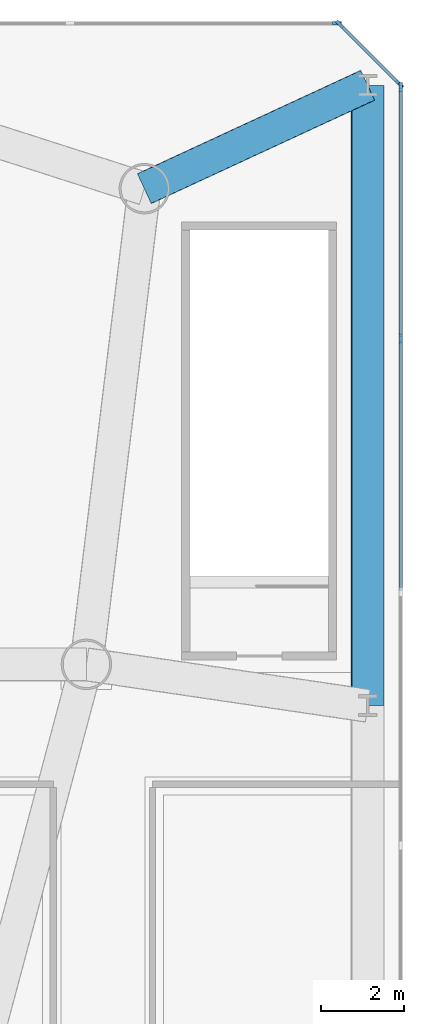
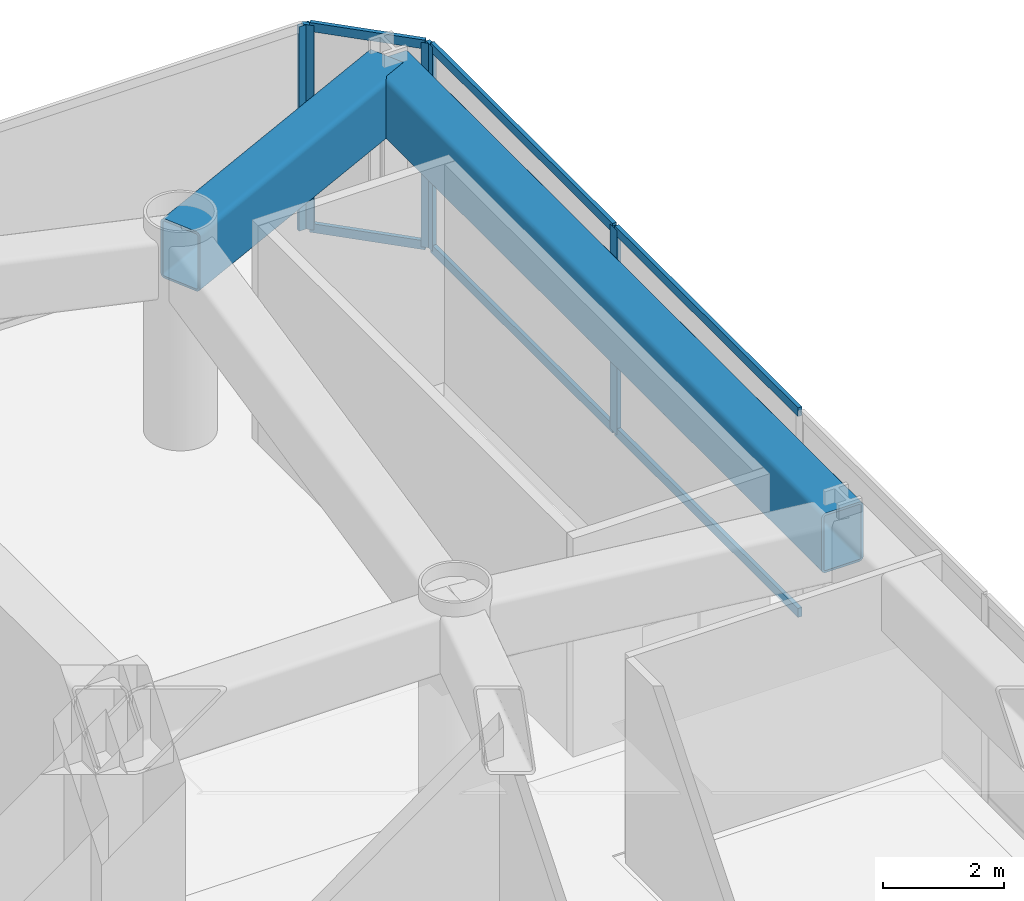
# One storey, part 11 of 21: 11 members, 2 beams, 3 elements without a shape of their own.
"""IFC4 building model written with IfcOpenShell, lengths in metres."""

from ifc_helpers import new_model, si_unit, direction, frame, origin, origin_2d, place, context, subcontext, project, spatial, rectangle, hollow_rectangle, extrude, source, transform, mapped, material, layer, layer_set, material_profile, profile_set, type_object, element, aggregate, save


model = new_model("IFC4")

# Units and contexts
model_context = context("Model", 3, precision=1e-05, world=origin(), true_north=direction((0.0, 1.0)))
body_context = subcontext(model_context, "Body", "Model", "MODEL_VIEW")
ifc_project = project(units=[si_unit("LENGTHUNIT", "METRE"), si_unit("AREAUNIT", "SQUARE_METRE"), si_unit("VOLUMEUNIT", "CUBIC_METRE"), si_unit("PLANEANGLEUNIT", "RADIAN"), si_unit("MASSUNIT", "GRAM", prefix="KILO")], contexts=[model_context])

# Site, building, storey
site_placement = place(None, origin())
site = spatial("IfcSite", under=ifc_project, at=site_placement, CompositionType="ELEMENT")
building_placement = place(site_placement, origin())
building = spatial("IfcBuilding", under=site, at=building_placement, Name="Vaeldorn Concourse Tower", CompositionType="ELEMENT")
storey_placement = place(building_placement, frame((0.0, 0.0, 14.39990234375)))
storey = spatial("IfcBuildingStorey", under=building, at=storey_placement, Name="L03", CompositionType="ELEMENT", Elevation=14.39990234375)

# Beams
ifc_material_1 = material(Name="Steel S460", Category="steel")
ifc_material_profile_1 = material_profile(ifc_material_1, hollow_rectangle(XDim=0.800048828125, YDim=1.199951171875, WallThickness=0.044921875, InnerFilletRadius=0.044921875, OuterFilletRadius=0.090087890625, at=origin_2d()), Name="RHS 1200x800x45")
ifc_profile_set_1 = profile_set([ifc_material_profile_1], Name="Steel S460")
beam_type = type_object("IfcBeamType", Name="BM-TG-RHS1200", PredefinedType="BEAM", material=ifc_profile_set_1)
shared_shape_1 = source(origin(), body_context, "Body", "SweptSolid", [
    extrude(hollow_rectangle(XDim=0.800048828125, YDim=1.199951171875, WallThickness=0.044921875, InnerFilletRadius=0.044921875, OuterFilletRadius=0.090087890625, at=origin_2d()), origin(), (0.0, 0.0, 1.0), 15.0),
])
beam_1_placement = place(storey_placement, frame((67.199951171875, 35.5, 3.52001953125), z_axis=(0.0, 1.0, 0.0), x_axis=(-1.0, 0.0, 0.0)))
element("IfcBeam", 1, at=beam_1_placement, inside=storey, type_object=beam_type, Name="Beam BM-L03-TG-24", PredefinedType="BEAM", context=body_context, shape_type="MappedRepresentation", body=[
    mapped(shared_shape_1, transform((0.0, 0.0, 0.0), scale=1.0)),
])
shared_shape_2 = source(origin(), body_context, "Body", "SweptSolid", [
    extrude(hollow_rectangle(XDim=0.800048828125, YDim=1.199951171875, WallThickness=0.044921875, InnerFilletRadius=0.044921875, OuterFilletRadius=0.090087890625, at=origin_2d()), origin(), (0.0, 0.0, 1.0), 5.950439453125),
])
beam_2_placement = place(storey_placement, frame((61.800048828125, 48.0, 3.52001953125), z_axis=(0.907464010437, 0.420129824888, 0.0), x_axis=(-0.420129824888, 0.907464010437, 0.0)))
element("IfcBeam", 2, at=beam_2_placement, inside=storey, type_object=beam_type, Name="Beam BM-L03-TG-34", PredefinedType="BEAM", context=body_context, shape_type="MappedRepresentation", body=[
    mapped(shared_shape_2, transform((0.0, 0.0, 0.0), scale=1.0)),
])

# Curtain wall, members
ifc_material_2 = material(Name="Anodised Bronze Aluminium", Category="aluminium")
ifc_layer = layer(ifc_material_2, 0.239990234375)
ifc_layer_set = layer_set([ifc_layer], Name="Anodised Bronze Aluminium")
curtain_wall_type = type_object("IfcCurtainWallType", Name="CW-SYS-04", PredefinedType="NOTDEFINED", material=ifc_layer_set)
curtain_wall_1_placement = place(storey_placement, origin())
curtain_wall_1 = element("IfcCurtainWall", 3, at=curtain_wall_1_placement, inside=storey, type_object=curtain_wall_type, Name="Unitised Curtain Wall CW-L03-E04-1", PredefinedType="NOTDEFINED")
ifc_material_profile_2 = material_profile(ifc_material_2, rectangle(XDim=0.074951171875, YDim=0.179931640625, at=origin_2d()), Name="CWT 75x180")
ifc_profile_set_2 = profile_set([ifc_material_profile_2], Name="Anodised Bronze Aluminium")
member_type_1 = type_object("IfcMemberType", Name="CWT-BRONZE-180", PredefinedType="USERDEFINED", material=ifc_profile_set_2)
shared_shape_3 = source(origin(), body_context, "Body", "SweptSolid", [
    extrude(rectangle(XDim=0.074951171875, YDim=0.179931640625, at=origin_2d()), origin(), (0.0, 0.0, 1.0), 1.971435546875),
])
member_1_placement = place(storey_placement, frame((67.947021484375, 50.552978515625, 0.03759765625), z_axis=(-0.707106781187, 0.707106781187, 0.0), x_axis=(-0.707106781187, -0.707106781187, 0.0)))
member_1 = element("IfcMember", 4, at=member_1_placement, type_object=member_type_1, Name="CW-04 transom 1.1", ObjectType="TRANSOM", PredefinedType="USERDEFINED", context=body_context, shape_type="MappedRepresentation", body=[
    mapped(shared_shape_3, transform((0.0, 0.0, 0.0), scale=1.0)),
])
member_2_placement = place(storey_placement, frame((67.947021484375, 50.552978515625, 4.08251953125), z_axis=(-0.707106781187, 0.707106781187, 0.0), x_axis=(-0.707106781187, -0.707106781187, 0.0)))
member_2 = element("IfcMember", 5, at=member_2_placement, type_object=member_type_1, Name="CW-04 transom 1.2", ObjectType="TRANSOM", PredefinedType="USERDEFINED", context=body_context, shape_type="MappedRepresentation", body=[
    mapped(shared_shape_3, transform((0.0, 0.0, 0.0), scale=1.0)),
])

curtain_wall_2_placement = place(storey_placement, origin())
curtain_wall_2 = element("IfcCurtainWall", 6, at=curtain_wall_2_placement, inside=storey, type_object=curtain_wall_type, Name="Unitised Curtain Wall CW-L03-E03-1", PredefinedType="NOTDEFINED")
shared_shape_4 = source(origin(), body_context, "Body", "SweptSolid", [
    extrude(rectangle(XDim=0.074951171875, YDim=0.179931640625, at=origin_2d()), origin(), (0.0, 0.0, 1.0), 6.012451171875),
])
member_3_placement = place(storey_placement, frame((68.0, 44.41259765625, 0.03759765625), z_axis=(0.0, 1.0, 0.0), x_axis=(-1.0, 0.0, 0.0)))
member_3 = element("IfcMember", 7, at=member_3_placement, type_object=member_type_1, Name="CW-04 transom 8.1", ObjectType="TRANSOM", PredefinedType="USERDEFINED", context=body_context, shape_type="MappedRepresentation", body=[
    mapped(shared_shape_4, transform((0.0, 0.0, 0.0), scale=1.0)),
])
member_4_placement = place(storey_placement, frame((68.0, 44.41259765625, 4.08251953125), z_axis=(0.0, 1.0, 0.0), x_axis=(-1.0, 0.0, 0.0)))
member_4 = element("IfcMember", 8, at=member_4_placement, type_object=member_type_1, Name="CW-04 transom 8.2", ObjectType="TRANSOM", PredefinedType="USERDEFINED", context=body_context, shape_type="MappedRepresentation", body=[
    mapped(shared_shape_4, transform((0.0, 0.0, 0.0), scale=1.0)),
])
shared_shape_5 = source(origin(), body_context, "Body", "SweptSolid", [
    extrude(rectangle(XDim=0.074951171875, YDim=0.179931640625, at=origin_2d()), origin(), (0.0, 0.0, 1.0), 6.0498046875),
])
member_5_placement = place(storey_placement, frame((68.0, 38.28759765625, 0.03759765625), z_axis=(0.0, 1.0, 0.0), x_axis=(-1.0, 0.0, 0.0)))
member_5 = element("IfcMember", 9, at=member_5_placement, type_object=member_type_1, Name="CW-04 transom 7.1", ObjectType="TRANSOM", PredefinedType="USERDEFINED", context=body_context, shape_type="MappedRepresentation", body=[
    mapped(shared_shape_5, transform((0.0, 0.0, 0.0), scale=1.0)),
])
member_6_placement = place(storey_placement, frame((68.0, 38.28759765625, 4.08251953125), z_axis=(0.0, 1.0, 0.0), x_axis=(-1.0, 0.0, 0.0)))
member_6 = element("IfcMember", 10, at=member_6_placement, type_object=member_type_1, Name="CW-04 transom 7.2", ObjectType="TRANSOM", PredefinedType="USERDEFINED", context=body_context, shape_type="MappedRepresentation", body=[
    mapped(shared_shape_5, transform((0.0, 0.0, 0.0), scale=1.0)),
])
ifc_material_profile_3 = material_profile(ifc_material_2, rectangle(XDim=0.074951171875, YDim=0.219970703125, at=origin_2d()), Name="CWM 75x220")
ifc_profile_set_3 = profile_set([ifc_material_profile_3], Name="Anodised Bronze Aluminium")
member_type_2 = type_object("IfcMemberType", Name="CWM-BRONZE-220", PredefinedType="MULLION", material=ifc_profile_set_3)
shared_shape_6 = source(origin(), body_context, "Body", "SweptSolid", [
    extrude(rectangle(XDim=0.074951171875, YDim=0.219970703125, at=origin_2d()), origin(), (0.0, 0.0, 1.0), 4.1201171875),
])
member_7_placement = place(storey_placement, frame((68.0, 44.375, 0.0), z_axis=(0.0, 0.0, 1.0), x_axis=(-1.0, 0.0, 0.0)))
member_7 = element("IfcMember", 11, at=member_7_placement, type_object=member_type_2, Name="CW-04 mullion 8", PredefinedType="MULLION", context=body_context, shape_type="MappedRepresentation", body=[
    mapped(shared_shape_6, transform((0.0, 0.0, 0.0), scale=1.0)),
])
member_8_placement = place(storey_placement, frame((68.0, 50.46240234375, 0.0), z_axis=(0.0, 0.0, 1.0), x_axis=(-1.0, 0.0, 0.0)))
member_8 = element("IfcMember", 12, at=member_8_placement, type_object=member_type_2, Name="CW-04 mullion 9", PredefinedType="MULLION", context=body_context, shape_type="MappedRepresentation", body=[
    mapped(shared_shape_6, transform((0.0, 0.0, 0.0), scale=1.0)),
])
aggregate(curtain_wall_2, [member_7, member_8, member_5, member_6, member_3, member_4])

# Member
member_9_placement = place(storey_placement, frame((67.973388671875, 50.526611328125, 0.0), z_axis=(0.0, 0.0, 1.0), x_axis=(-0.707106781187, -0.707106781187, 0.0)))
member_9 = element("IfcMember", 13, at=member_9_placement, type_object=member_type_2, Name="CW-04 mullion 1", PredefinedType="MULLION", context=body_context, shape_type="MappedRepresentation", body=[
    mapped(shared_shape_6, transform((0.0, 0.0, 0.0), scale=1.0)),
])

member_10_placement = place(storey_placement, frame((66.526611328125, 51.973388671875, 0.0), z_axis=(0.0, 0.0, 1.0), x_axis=(-0.707106781187, -0.707106781187, 0.0)))
member_10 = element("IfcMember", 14, at=member_10_placement, type_object=member_type_2, Name="CW-04 mullion 2", PredefinedType="MULLION", context=body_context, shape_type="MappedRepresentation", body=[
    mapped(shared_shape_6, transform((0.0, 0.0, 0.0), scale=1.0)),
])

aggregate(curtain_wall_1, [member_9, member_10, member_1, member_2])

# Curtain wall, member
curtain_wall_3_placement = place(storey_placement, origin())
curtain_wall_3 = element("IfcCurtainWall", 15, at=curtain_wall_3_placement, inside=storey, type_object=curtain_wall_type, Name="Unitised Curtain Wall CW-L03-E05-1", PredefinedType="NOTDEFINED")
member_11_placement = place(storey_placement, frame((66.46240234375, 52.0, 0.0), z_axis=(0.0, 0.0, 1.0), x_axis=(0.0, -1.0, 0.0)))
member_11 = element("IfcMember", 16, at=member_11_placement, type_object=member_type_2, Name="CW-04 mullion 1", PredefinedType="MULLION", context=body_context, shape_type="MappedRepresentation", body=[
    mapped(shared_shape_6, transform((0.0, 0.0, 0.0), scale=1.0)),
])
aggregate(curtain_wall_3, [member_11])

save(model, "model.ifc")
